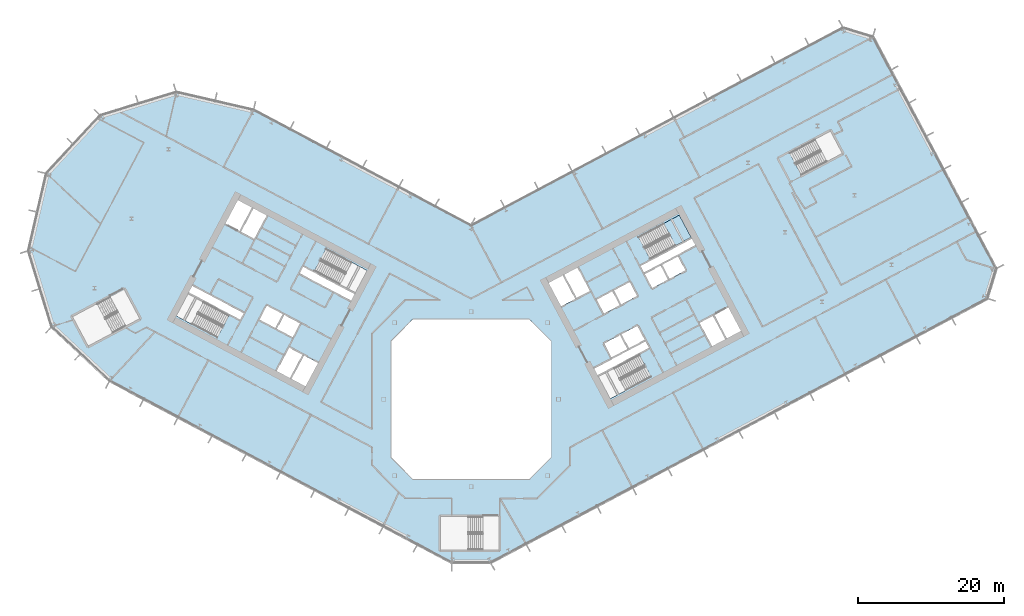
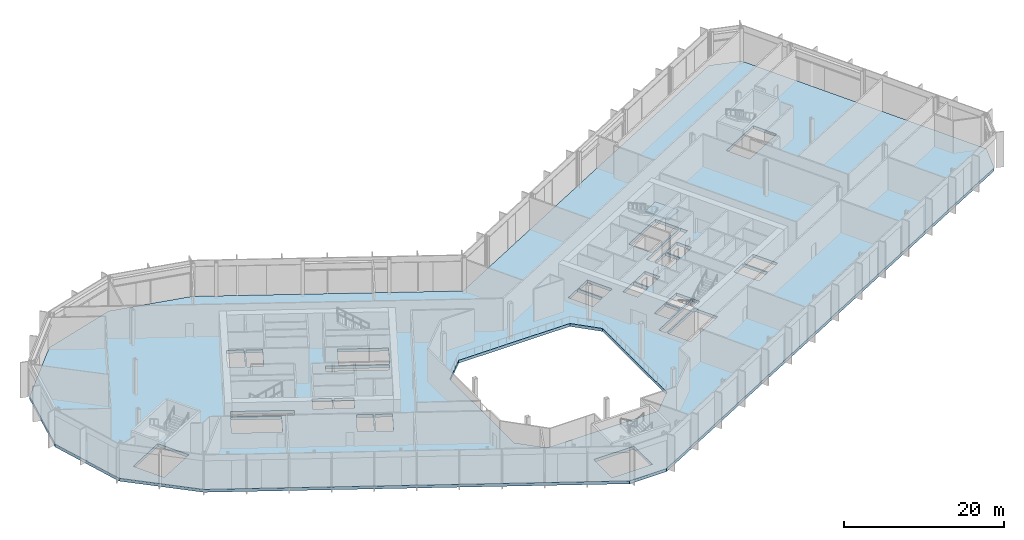
# One storey, part 10 of 31: 2 slabs, 1 element without a shape of its own.
"""IFC4 building model written with IfcOpenShell, lengths in metres."""

import ifcopenshell
import ifcopenshell.guid

model = None  # the IFC model being written
_history = None  # IfcOwnerHistory: only IFC2X3 demands one
_inside = {}  # id of a spatial element -> (the spatial element, [elements in it])
_under = {}  # id of a project, library or spatial element -> (it, [spatial elements below it])
_declared = {}  # id of a project -> (the project, [libraries it declares])
_typed = {}  # id of a type object -> (the type object, [elements of that type])
_made_of = {}  # id of a material, layer set ... -> (it, [elements and type objects made of it])


def new_model(schema):
    """Start an empty IFC model of exactly this schema.

    Asked for "IFC4X3", IfcOpenShell would pick the latest addendum, in which some entities
    have other attributes; the version numbers below select the first issue.
    IFC2X3 requires an IfcOwnerHistory on every rooted entity: one is made here for all.
    """
    global model, _history
    if schema == "IFC4X3":
        model = ifcopenshell.file(schema_version=(4, 3, 0, 0))
    else:
        model = ifcopenshell.file(schema=schema)
    _inside.clear()
    _under.clear()
    _declared.clear()
    _typed.clear()
    _made_of.clear()
    _history = None
    if model.schema == "IFC2X3":
        org = make("IfcOrganization", Name="unknown")
        user = make(
            "IfcPersonAndOrganization",
            ThePerson=make("IfcPerson", FamilyName="unknown"),
            TheOrganization=org,
        )
        app = make(
            "IfcApplication",
            ApplicationDeveloper=org,
            Version="unknown",
            ApplicationFullName="unknown",
            ApplicationIdentifier="unknown",
        )
        _history = make(
            "IfcOwnerHistory",
            OwningUser=user,
            OwningApplication=app,
            ChangeAction="ADDED",
            CreationDate=0,
        )
    return model


def make(cls, **values):
    """One entity of the class cls with the attributes given. An attribute that is None is left unset."""
    return model.create_entity(
        cls, **{name: value for name, value in values.items() if value is not None}
    )


def rooted(cls, **values):
    """An entity with a GlobalId (a new one), such as an element, a storey or a relation."""
    return make(cls, GlobalId=ifcopenshell.guid.new(), OwnerHistory=_history, **values)


def si_unit(unit_type, name, prefix=None):
    """IfcSIUnit, for example si_unit("LENGTHUNIT", "METRE", prefix="MILLI")."""
    return make("IfcSIUnit", UnitType=unit_type, Prefix=prefix, Name=name)


def assignment(units):
    """IfcUnitAssignment: the units of a project."""
    return None if units is None else make("IfcUnitAssignment", Units=units)


def point(xyz):
    """IfcCartesianPoint."""
    return None if xyz is None else make("IfcCartesianPoint", Coordinates=xyz)


def direction(xyz):
    """IfcDirection."""
    return None if xyz is None else make("IfcDirection", DirectionRatios=xyz)


def frame(location, z_axis=None, x_axis=None):
    """IfcAxis2Placement3D, a coordinate frame: its origin and axes. An axis left out is left unset."""
    return make(
        "IfcAxis2Placement3D",
        Location=point(location),
        Axis=direction(z_axis),
        RefDirection=direction(x_axis),
    )


def origin():
    """The frame at (0, 0, 0) with its axes left unset."""
    return frame((0.0, 0.0, 0.0))


def place(relative_to, where):
    """IfcLocalPlacement: puts the frame where relative to a parent placement (None: the world)."""
    return make(
        "IfcLocalPlacement", PlacementRelTo=relative_to, RelativePlacement=where
    )


def context(
    kind, dimensions, precision=None, world=None, true_north=None, identifier=None
):
    """IfcGeometricRepresentationContext, for example the 3D "Model" context."""
    return make(
        "IfcGeometricRepresentationContext",
        ContextIdentifier=identifier,
        ContextType=kind,
        CoordinateSpaceDimension=dimensions,
        Precision=precision,
        WorldCoordinateSystem=world,
        TrueNorth=true_north,
    )


def subcontext(parent, identifier, kind, view, scale=None):
    """IfcGeometricRepresentationSubContext, for example "Body" below "Model"."""
    return make(
        "IfcGeometricRepresentationSubContext",
        ContextIdentifier=identifier,
        ContextType=kind,
        ParentContext=parent,
        TargetScale=scale,
        TargetView=view,
    )


def project(units=None, contexts=None):
    """IfcProject with its units and contexts."""
    return rooted(
        "IfcProject",
        Name="project",
        RepresentationContexts=contexts,
        UnitsInContext=assignment(units),
    )


def spatial(cls, under=None, at=None, **own):
    """A site, building, storey or space (cls), placed at a placement, below another one or the project."""
    s = rooted(cls, ObjectPlacement=at, **own)
    if under is not None:
        _under.setdefault(under.id(), (under, []))[1].append(s)
    return s


def polyline(points):
    """IfcPolyline through the points."""
    return make("IfcPolyline", Points=[point(p) for p in points])


def outline(outer, holes=None, kind="AREA"):
    """IfcArbitraryClosedProfileDef: a profile drawn as a closed curve; with holes, ...WithVoids."""
    if holes is None:
        return make("IfcArbitraryClosedProfileDef", ProfileType=kind, OuterCurve=outer)
    return make(
        "IfcArbitraryProfileDefWithVoids",
        ProfileType=kind,
        OuterCurve=outer,
        InnerCurves=holes,
    )


def extrude(swept, where, along, depth):
    """IfcExtrudedAreaSolid: the profile swept, set in the frame where, extruded along a direction by depth."""
    return make(
        "IfcExtrudedAreaSolid",
        SweptArea=swept,
        Position=where,
        ExtrudedDirection=direction(along),
        Depth=depth,
    )


def shape(context_of_items, identifier, shape_type, items):
    """IfcShapeRepresentation: the items that make up one representation, for example the "Body"."""
    return make(
        "IfcShapeRepresentation",
        ContextOfItems=context_of_items,
        RepresentationIdentifier=identifier,
        RepresentationType=shape_type,
        Items=items,
    )


def material(Name=None, Category=None):
    """IfcMaterial."""
    return make("IfcMaterial", Name=Name, Category=Category)


def layer(
    of_material, thickness, ventilated=None, Name=None, Category=None, Priority=None
):
    """IfcMaterialLayer: one layer of a wall or slab, of a material (None: an air gap)."""
    return make(
        "IfcMaterialLayer",
        Material=of_material,
        LayerThickness=thickness,
        IsVentilated=ventilated,
        Name=Name,
        Category=Category,
        Priority=Priority,
    )


def layer_set(layers, Name=None):
    """IfcMaterialLayerSet."""
    return make("IfcMaterialLayerSet", MaterialLayers=layers, LayerSetName=Name)


def made_of(thing, what):
    """Note that an element or type object is made of a material, layer set ...; save() writes the relation."""
    if what is not None:
        _made_of.setdefault(what.id(), (what, []))[1].append(thing)
    return thing


def type_object(cls, material=None, **own):
    """A type object (cls), such as IfcWallType, which elements share."""
    return made_of(rooted(cls, **own), material)


def element(
    cls,
    number,
    at=None,
    inside=None,
    cuts=None,
    type_object=None,
    material=None,
    context=None,
    identifier="Body",
    shape_type=None,
    held_by="IfcProductDefinitionShape",
    body=None,
    shapes=None,
    **own,
):
    """One element of the class cls, such as IfcWall. Its Tag is "e" and its number.

    at: its placement. inside: the storey or other place that contains it. cuts: it is an
    opening in that element (IfcRelVoidsElement). A single representation is given by context,
    identifier, shape_type and body (its items); several are given by shapes. held_by: the class
    of the entity that holds the representations. save() writes the other relations.
    """
    e = rooted(cls, Tag="e%d" % number, ObjectPlacement=at, **own)
    if body is not None:
        shapes = [shape(context, identifier, shape_type, body)]
    if shapes is not None:
        e.Representation = make(held_by, Representations=shapes)
    if inside is not None:
        _inside.setdefault(inside.id(), (inside, []))[1].append(e)
    if cuts is not None:
        rooted(
            "IfcRelVoidsElement", RelatingBuildingElement=cuts, RelatedOpeningElement=e
        )
    if type_object is not None:
        _typed.setdefault(type_object.id(), (type_object, []))[1].append(e)
    return made_of(e, material)


def aggregate(whole, parts):
    """IfcRelAggregates: a whole, such as a stair, and the parts it consists of."""
    return rooted("IfcRelAggregates", RelatingObject=whole, RelatedObjects=parts)


def save(model, path):
    """Write the relations noted so far, then the file.

    IfcRelAggregates (storeys below a building ...), IfcRelContainedInSpatialStructure (elements
    in a storey), IfcRelDefinesByType, IfcRelAssociatesMaterial and IfcRelDeclares: one each for
    every whole, place, type object, material and project.
    """
    for whole, parts in _under.values():
        aggregate(whole, parts)
    for where, things in _inside.values():
        rooted(
            "IfcRelContainedInSpatialStructure",
            RelatedElements=things,
            RelatingStructure=where,
        )
    for kind, things in _typed.values():
        rooted("IfcRelDefinesByType", RelatedObjects=things, RelatingType=kind)
    for what, things in _made_of.values():
        rooted("IfcRelAssociatesMaterial", RelatedObjects=things, RelatingMaterial=what)
    for by, libraries in _declared.values():
        rooted("IfcRelDeclares", RelatingContext=by, RelatedDefinitions=libraries)
    model.write(path)


model = new_model("IFC4")

# Units and contexts
model_context = context("Model", 3, precision=1e-05, world=origin(), true_north=direction((0.0, 1.0)))
body_context = subcontext(model_context, "Body", "Model", "MODEL_VIEW")
ifc_project = project(units=[si_unit("LENGTHUNIT", "METRE"), si_unit("AREAUNIT", "SQUARE_METRE"), si_unit("VOLUMEUNIT", "CUBIC_METRE"), si_unit("PLANEANGLEUNIT", "RADIAN"), si_unit("MASSUNIT", "GRAM", prefix="KILO")], contexts=[model_context])

# Site, building, storey
site_placement = place(None, origin())
site = spatial("IfcSite", under=ifc_project, at=site_placement, CompositionType="ELEMENT")
building_placement = place(site_placement, origin())
building = spatial("IfcBuilding", under=site, at=building_placement, Name="Cormorant Relay Tower", CompositionType="ELEMENT")
storey_placement = place(building_placement, frame((0.0, 0.0, 33.800048828125)))
storey = spatial("IfcBuildingStorey", under=building, at=storey_placement, Name="L06", CompositionType="ELEMENT", Elevation=33.800048828125)

# Stair, slab
ifc_material_1 = material(Name="Concrete 40 MPa", Category="concrete")
stair_type = type_object("IfcStairType", Name="Exit stair 1500", PredefinedType="HALF_TURN_STAIR", material=ifc_material_1)
stair_placement = place(storey_placement, origin())
stair = element("IfcStair", 1, at=stair_placement, inside=storey, type_object=stair_type, Name="L06 Stair", PredefinedType="HALF_TURN_STAIR")
ifc_material_2 = material(Name="Concrete 40 MPa", Category="concrete")
ifc_layer_1 = layer(ifc_material_2, 0.199951171875)
ifc_layer_set_1 = layer_set([ifc_layer_1], Name="Exit stair landing 200")
slab_type_1 = type_object("IfcSlabType", Name="Exit stair landing 200", PredefinedType="LANDING", material=ifc_layer_set_1)
slab_1_placement = place(storey_placement, frame((0.0, 0.0, 2.5)))
slab_1 = element("IfcSlab", 2, at=slab_1_placement, type_object=slab_type_1, Name="B2 landing 1", PredefinedType="LANDING", context=body_context, shape_type="SweptSolid", body=[
    extrude(outline(polyline([(28.05322265625, 21.088623046875), (30.19873046875, 22.2294921875), (28.5791015625, 25.275634765625), (26.43359375, 24.134765625), (28.05322265625, 21.088623046875)])), origin(), (0.0, 0.0, 1.0), 0.199951171875),
])
aggregate(stair, [slab_1])

# Slab
ifc_material_3 = material(Name="Concrete 40 MPa", Category="concrete")
ifc_layer_2 = layer(ifc_material_3, 0.449951171875)
ifc_layer_set_2 = layer_set([ifc_layer_2], Name="Flat plate 450")
slab_type_2 = type_object("IfcSlabType", Name="Flat plate 450", PredefinedType="FLOOR", material=ifc_layer_set_2)
slab_2_placement = place(storey_placement, frame((0.0, 0.0, -0.449951171875)))
element("IfcSlab", 3, at=slab_2_placement, inside=storey, type_object=slab_type_2, Name="Floor slab L06", PredefinedType="FLOOR", context=body_context, shape_type="SweptSolid", body=[
    extrude(outline(polyline([(-60.7197265625, 20.393310546875), (-58.2744140625, 30.985107421875), (-50.86083984375, 38.935302734375), (-40.465576171875, 42.11328125), (-29.873779296875, 39.668212890625), (0.0, 23.783935546875), (51.064453125, 50.935302734375), (55.12158203125, 49.695068359375), (72.022705078125, 17.908935546875), (70.7822265625, 13.8515625), (2.648681640625, -22.37548828125), (-2.648681640625, -22.37548828125), (-49.591552734375, 2.584228515625), (-57.541748046875, 9.997802734375), (-60.7197265625, 20.393310546875)]), holes=[polyline([(11.0, -8.0), (11.0, 8.0), (8.0, 11.0), (-8.0, 11.0), (-11.0, 8.0), (-11.0, -8.0), (-8.0, -11.0), (8.0, -11.0), (11.0, -8.0)]), polyline([(-4.199951171875, -16.125), (-4.199951171875, -20.675048828125), (1.60009765625, -20.675048828125), (1.60009765625, -16.125), (-4.199951171875, -16.125)]), polyline([(-22.95458984375, 6.03271484375), (-24.668212890625, 2.81005859375), (-22.725830078125, 1.777099609375), (-21.01220703125, 5.0), (-23.04296875, 6.07958984375), (-22.95458984375, 6.03271484375)]), polyline([(-24.985595703125, 7.112548828125), (-26.69921875, 3.889892578125), (-24.844970703125, 2.90380859375), (-23.13134765625, 6.126708984375), (-23.04296875, 6.07958984375), (-24.985595703125, 7.112548828125)]), polyline([(-26.688720703125, 9.660400390625), (-24.481201171875, 8.48681640625), (-23.448486328125, 10.42919921875), (-25.656005859375, 11.602783203125), (-26.688720703125, 9.660400390625)]), polyline([(-49.57861328125, 14.0537109375), (-54.69970703125, 11.330810546875), (-52.563720703125, 7.3134765625), (-47.442626953125, 10.036376953125), (-49.57861328125, 14.0537109375)]), polyline([(-28.039794921875, 12.870361328125), (-29.07275390625, 10.927978515625), (-26.865234375, 9.75439453125), (-25.83251953125, 11.69677734375), (-28.039794921875, 12.870361328125)]), polyline([(-38.847900390625, 14.483154296875), (-40.46728515625, 11.43701171875), (-34.860595703125, 8.455810546875), (-33.240966796875, 11.502197265625), (-38.847900390625, 14.483154296875)]), polyline([(-38.260986328125, 15.5869140625), (-38.75390625, 14.659912109375), (-31.690185546875, 10.904052734375), (-31.197265625, 11.8310546875), (-38.260986328125, 15.5869140625)]), polyline([(14.3056640625, 13.779052734375), (12.592041015625, 17.001708984375), (10.649658203125, 15.968994140625), (12.36328125, 12.74609375), (14.39404296875, 13.825927734375), (14.3056640625, 13.779052734375)]), polyline([(16.33642578125, 14.85888671875), (14.622802734375, 18.08154296875), (12.768798828125, 17.095703125), (14.482421875, 13.872802734375), (14.39404296875, 13.825927734375), (16.33642578125, 14.85888671875)]), polyline([(-16.481689453125, 13.520263671875), (-15.989013671875, 14.447509765625), (-23.052490234375, 18.203125), (-23.54541015625, 17.276123046875), (-16.481689453125, 13.520263671875)]), polyline([(-21.501708984375, 17.605224609375), (-15.89501953125, 14.6240234375), (-14.275390625, 17.670166015625), (-19.882080078125, 20.6513671875), (-21.501708984375, 17.605224609375)]), polyline([(-31.611572265625, 22.980712890625), (-29.75732421875, 21.99462890625), (-28.043701171875, 25.217529296875), (-29.89794921875, 26.203369140625), (-31.611572265625, 22.980712890625)]), polyline([(-33.73046875, 24.107421875), (-31.7880859375, 23.074462890625), (-30.074462890625, 26.29736328125), (-32.01708984375, 27.330078125), (-33.73046875, 24.107421875)]), polyline([(23.087158203125, 6.10302734375), (17.48046875, 3.1220703125), (19.10009765625, 0.07568359375), (24.706787109375, 3.056884765625), (23.087158203125, 6.10302734375)]), polyline([(16.8935546875, 4.2255859375), (17.386474609375, 3.298583984375), (24.4501953125, 7.054443359375), (23.957275390625, 7.9814453125), (16.8935546875, 4.2255859375)]), polyline([(20.446533203125, 8.8330078125), (18.239013671875, 7.6591796875), (19.27197265625, 5.716796875), (21.479248046875, 6.890380859375), (20.446533203125, 8.8330078125)]), polyline([(22.830322265625, 10.1005859375), (20.623046875, 8.927001953125), (21.656005859375, 6.984375), (23.86328125, 8.158203125), (22.830322265625, 10.1005859375)]), polyline([(33.197021484375, 11.478515625), (31.3427734375, 10.49267578125), (33.056396484375, 7.27001953125), (34.910400390625, 8.255859375), (33.197021484375, 11.478515625)]), polyline([(33.37353515625, 11.572509765625), (35.087158203125, 8.349609375), (37.029541015625, 9.382568359375), (35.31591796875, 12.605224609375), (33.37353515625, 11.572509765625)]), polyline([(19.401123046875, 14.84619140625), (17.19384765625, 13.67236328125), (18.2265625, 11.72998046875), (20.43408203125, 12.903564453125), (19.401123046875, 14.84619140625)]), polyline([(22.81787109375, 14.171142578125), (21.78515625, 16.113525390625), (19.57763671875, 14.93994140625), (20.610595703125, 12.99755859375), (22.81787109375, 14.171142578125)]), polyline([(26.023193359375, 18.3671875), (23.81591796875, 17.193359375), (24.8486328125, 15.2509765625), (27.05615234375, 16.424560546875), (26.023193359375, 18.3671875)]), polyline([(29.440185546875, 17.692138671875), (28.4072265625, 19.634765625), (26.19970703125, 18.4609375), (27.232666015625, 16.5185546875), (29.440185546875, 17.692138671875)]), polyline([(30.78564453125, 21.125732421875), (30.29248046875, 22.052978515625), (23.22900390625, 18.297119140625), (23.721923828125, 17.3701171875), (30.78564453125, 21.125732421875)]), polyline([(24.592041015625, 19.248291015625), (30.19873046875, 22.2294921875), (28.5791015625, 25.275634765625), (22.972412109375, 22.29443359375), (24.592041015625, 19.248291015625)]), polyline([(45.3349609375, 30.773681640625), (50.941650390625, 33.7548828125), (49.322021484375, 36.801025390625), (43.715087890625, 33.81982421875), (45.3349609375, 30.773681640625)])]), origin(), (0.0, 0.0, 1.0), 0.449951171875),
])

save(model, "model.ifc")
